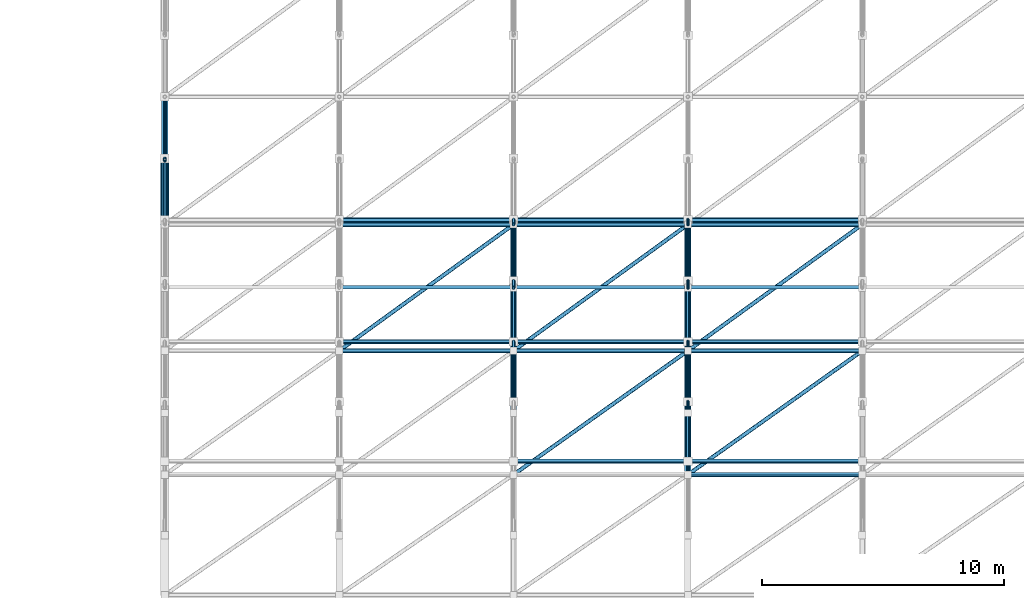
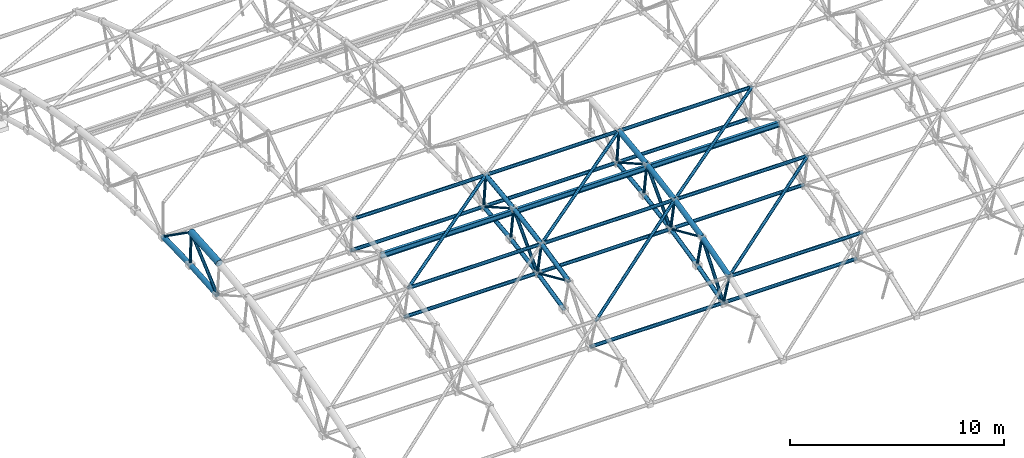
# One storey, part 13 of 41: 58 members.
"""IFC4 building model written with IfcOpenShell, lengths in metres."""

from ifc_helpers import new_model, si_unit, direction, frame, origin, origin_2d, place, context, subcontext, project, spatial, hollow_circle, i_section, extrude, material, material_profile, profile_set, type_object, element, save


model = new_model("IFC4")

# Units and contexts
model_context = context("Model", 3, precision=1e-05, world=origin(), true_north=direction((0.0, 1.0)))
body_context = subcontext(model_context, "Body", "Model", "MODEL_VIEW")
ifc_project = project(units=[si_unit("LENGTHUNIT", "METRE"), si_unit("AREAUNIT", "SQUARE_METRE"), si_unit("VOLUMEUNIT", "CUBIC_METRE"), si_unit("PLANEANGLEUNIT", "RADIAN"), si_unit("MASSUNIT", "GRAM", prefix="KILO")], contexts=[model_context])

# Site, building, storey
site_placement = place(None, origin())
site = spatial("IfcSite", under=ifc_project, at=site_placement, CompositionType="ELEMENT")
building_placement = place(site_placement, origin())
building = spatial("IfcBuilding", under=site, at=building_placement, Name="Malvenik Polytechnic", CompositionType="ELEMENT")
storey_placement = place(building_placement, frame((0.0, 0.0, 17.699951171875)))
storey = spatial("IfcBuildingStorey", under=building, at=storey_placement, Name="L04", CompositionType="ELEMENT", Elevation=17.699951171875)

# Members
ifc_material_1 = material(Name="Steel S355J2H", Category="steel")
ifc_material_profile_1 = material_profile(ifc_material_1, hollow_circle(Radius=0.136474609375, WallThickness=0.010009765625, at=origin_2d()), Name="CHS 273.0x10.0")
ifc_profile_set_1 = profile_set([ifc_material_profile_1], Name="Steel S355J2H")
member_type_1 = type_object("IfcMemberType", Name="STR-MEM-SFB-01", PredefinedType="CHORD", material=ifc_profile_set_1)
for number, where, z_axis, x_axis, name in (
    (1, (134.39990234375, 59.72509765625, 2.155517578125), (0.0, 0.997310938626, 0.073286367738), (-1.0, 0.0, 0.0), "Space-Frame Tube SFB-01 STR-SF-BC-0021"),
    (2, (134.39990234375, 62.261474609375, 2.341796875), (0.0, 0.999700798264, 0.024460456869), (-1.0, 0.0, 0.0), "Space-Frame Tube SFB-01 STR-SF-BC-0023"),
):
    element("IfcMember", number, at=place(storey_placement, frame(where, z_axis=z_axis, x_axis=x_axis)), inside=storey, type_object=member_type_1, Name=name, PredefinedType="CHORD", context=body_context, shape_type="SweptSolid", body=[
        extrude(hollow_circle(Radius=0.136474609375, WallThickness=0.010009765625, at=origin_2d()), origin(), (0.0, 0.0, 1.0), 2.53515625),
    ])
ifc_material_profile_2 = material_profile(ifc_material_1, hollow_circle(Radius=0.109619140625, WallThickness=0.010009765625, at=origin_2d()), Name="CHS 219.1x10.0")
ifc_profile_set_2 = profile_set([ifc_material_profile_2], Name="Steel S355J2H")
member_type_2 = type_object("IfcMemberType", Name="STR-MEM-SFB-02", PredefinedType="CHORD", material=ifc_profile_set_2)
for number, where, z_axis, x_axis, name in (
    (3, (156.0, 49.7607421875, 0.181396484375), (0.0, 0.96402666338, 0.265805553539), (-1.0, 0.0, 0.0), "Space-Frame Tube SFB-02 STR-SF-BC-0304"),
    (4, (156.0, 52.21240234375, 0.857177734375), (0.0, 0.975880203116, 0.21830673184), (-1.0, 0.0, 0.0), "Space-Frame Tube SFB-02 STR-SF-BC-0306"),
):
    element("IfcMember", number, at=place(storey_placement, frame(where, z_axis=z_axis, x_axis=x_axis)), inside=storey, type_object=member_type_2, Name=name, PredefinedType="CHORD", context=body_context, shape_type="SweptSolid", body=[
        extrude(hollow_circle(Radius=0.109619140625, WallThickness=0.010009765625, at=origin_2d()), origin(), (0.0, 0.0, 1.0), 2.53515625),
    ])
member_1_placement = place(storey_placement, frame((156.0, 54.6943359375, 1.412353515625), z_axis=(0.0, 0.985387199481, 0.170329290198), x_axis=(-1.0, 0.0, 0.0)))
element("IfcMember", 5, at=member_1_placement, inside=storey, type_object=member_type_2, Name="Space-Frame Tube SFB-02 STR-SF-BC-0308", PredefinedType="CHORD", context=body_context, shape_type="SweptSolid", body=[
    extrude(hollow_circle(Radius=0.109619140625, WallThickness=0.010009765625, at=origin_2d()), origin(), (0.0, 0.0, 1.0), 2.53564453125),
])
member_2_placement = place(storey_placement, frame((156.0, 57.20068359375, 1.845458984375), z_axis=(0.0, 0.992529141181, 0.122007802646), x_axis=(-1.0, 0.0, 0.0)))
element("IfcMember", 6, at=member_2_placement, inside=storey, type_object=member_type_2, Name="Space-Frame Tube SFB-02 STR-SF-BC-0310", PredefinedType="CHORD", context=body_context, shape_type="SweptSolid", body=[
    extrude(hollow_circle(Radius=0.109619140625, WallThickness=0.010009765625, at=origin_2d()), origin(), (0.0, 0.0, 1.0), 2.535400390625),
])
ifc_material_profile_3 = material_profile(ifc_material_1, hollow_circle(Radius=0.109619140625, WallThickness=0.008056640625, at=origin_2d()), Name="CHS 219.1x8.0")
ifc_profile_set_3 = profile_set([ifc_material_profile_3], Name="Steel S355J2H")
member_type_3 = type_object("IfcMemberType", Name="STR-MEM-SFB-03", PredefinedType="CHORD", material=ifc_profile_set_3)
member_3_placement = place(storey_placement, frame((148.800048828125, 52.21240234375, 0.857177734375), z_axis=(0.0, 0.975880203116, 0.21830673184), x_axis=(-1.0, 0.0, 0.0)))
element("IfcMember", 7, at=member_3_placement, inside=storey, type_object=member_type_3, Name="Space-Frame Tube SFB-03 STR-SF-BC-0209", PredefinedType="CHORD", context=body_context, shape_type="SweptSolid", body=[
    extrude(hollow_circle(Radius=0.109619140625, WallThickness=0.008056640625, at=origin_2d()), origin(), (0.0, 0.0, 1.0), 2.53515625),
])
member_4_placement = place(storey_placement, frame((148.800048828125, 54.6943359375, 1.412353515625), z_axis=(0.0, 0.985387199481, 0.170329290198), x_axis=(-1.0, 0.0, 0.0)))
element("IfcMember", 8, at=member_4_placement, inside=storey, type_object=member_type_3, Name="Space-Frame Tube SFB-03 STR-SF-BC-0211", PredefinedType="CHORD", context=body_context, shape_type="SweptSolid", body=[
    extrude(hollow_circle(Radius=0.109619140625, WallThickness=0.008056640625, at=origin_2d()), origin(), (0.0, 0.0, 1.0), 2.53564453125),
])
member_5_placement = place(storey_placement, frame((148.800048828125, 57.20068359375, 1.845458984375), z_axis=(0.0, 0.992529141181, 0.122007802646), x_axis=(-1.0, 0.0, 0.0)))
element("IfcMember", 9, at=member_5_placement, inside=storey, type_object=member_type_3, Name="Space-Frame Tube SFB-03 STR-SF-BC-0213", PredefinedType="CHORD", context=body_context, shape_type="SweptSolid", body=[
    extrude(hollow_circle(Radius=0.109619140625, WallThickness=0.008056640625, at=origin_2d()), origin(), (0.0, 0.0, 1.0), 2.535400390625),
])
ifc_material_profile_4 = material_profile(ifc_material_1, hollow_circle(Radius=0.084228515625, WallThickness=0.00634765625, at=origin_2d()), Name="CHS 168.3x6.3")
ifc_profile_set_4 = profile_set([ifc_material_profile_4], Name="Steel S355J2H")
member_type_4 = type_object("IfcMemberType", Name="STR-MEM-SFD-02", PredefinedType="BRACE", material=ifc_profile_set_4)
for number, where, z_axis, x_axis, name in (
    (10, (134.39990234375, 59.72412109375, 2.157958984375), (0.0, 0.756869052153, 0.653566552), (-1.0, 0.0, 0.0), "Space-Frame Tube SFD-02 STR-SF-AD-0084"),
    (11, (148.800048828125, 54.693359375, 1.41455078125), (0.0, 0.689369138423, 0.724410236668), (-1.0, 0.0, 0.0), "Space-Frame Tube SFD-02 STR-SF-AD-0276"),
    (12, (156.0, 49.75927734375, 0.18359375), (0.0, 0.615336380621, 0.788264637469), (-1.0, 0.0, 0.0), "Space-Frame Tube SFD-02 STR-SF-AD-0371"),
    (13, (156.0, 54.693359375, 1.41455078125), (0.0, 0.689369138423, 0.724410236668), (-1.0, 0.0, 0.0), "Space-Frame Tube SFD-02 STR-SF-AD-0373"),
):
    element("IfcMember", number, at=place(storey_placement, frame(where, z_axis=z_axis, x_axis=x_axis)), inside=storey, type_object=member_type_4, Name=name, PredefinedType="BRACE", context=body_context, shape_type="SweptSolid", body=[
        extrude(hollow_circle(Radius=0.084228515625, WallThickness=0.00634765625, at=origin_2d()), origin(), (0.0, 0.0, 1.0), 3.218994140625),
    ])
member_6_placement = place(storey_placement, frame((141.603271484375, 54.318603515625, 3.30029296875), z_axis=(0.806752867448, 0.58453646588, 0.086411405045), x_axis=(-0.586731110708, 0.80978182477, 0.0)))
element("IfcMember", 14, at=member_6_placement, inside=storey, type_object=member_type_4, Name="Space-Frame Tube SFD-02 STR-SF-SD-0849", PredefinedType="BRACE", context=body_context, shape_type="SweptSolid", body=[
    extrude(hollow_circle(Radius=0.084228515625, WallThickness=0.00634765625, at=origin_2d()), origin(), (0.0, 0.0, 1.0), 8.916748046875),
])
member_7_placement = place(storey_placement, frame((148.80322265625, 49.2021484375, 2.023681640625), z_axis=(0.806764863232, 0.573291793869, 0.143062834223), x_axis=(-0.57925018849, 0.81514981392, 0.0)))
element("IfcMember", 15, at=member_7_placement, inside=storey, type_object=member_type_4, Name="Space-Frame Tube SFD-02 STR-SF-SD-0890", PredefinedType="BRACE", context=body_context, shape_type="SweptSolid", body=[
    extrude(hollow_circle(Radius=0.084228515625, WallThickness=0.00634765625, at=origin_2d()), origin(), (0.0, 0.0, 1.0), 8.91650390625),
])
member_8_placement = place(storey_placement, frame((148.80322265625, 54.318603515625, 3.30029296875), z_axis=(0.806752867448, 0.58453646588, 0.086411405045), x_axis=(-0.586731110708, 0.80978182477, 0.0)))
element("IfcMember", 16, at=member_8_placement, inside=storey, type_object=member_type_4, Name="Space-Frame Tube SFD-02 STR-SF-SD-0891", PredefinedType="BRACE", context=body_context, shape_type="SweptSolid", body=[
    extrude(hollow_circle(Radius=0.084228515625, WallThickness=0.00634765625, at=origin_2d()), origin(), (0.0, 0.0, 1.0), 8.916748046875),
])
member_9_placement = place(storey_placement, frame((156.003173828125, 49.2021484375, 2.023681640625), z_axis=(0.806764863232, 0.573291793869, 0.143062834223), x_axis=(-0.57925018849, 0.81514981392, 0.0)))
element("IfcMember", 17, at=member_9_placement, inside=storey, type_object=member_type_4, Name="Space-Frame Tube SFD-02 STR-SF-SD-0932", PredefinedType="BRACE", context=body_context, shape_type="SweptSolid", body=[
    extrude(hollow_circle(Radius=0.084228515625, WallThickness=0.00634765625, at=origin_2d()), origin(), (0.0, 0.0, 1.0), 8.91650390625),
])
member_10_placement = place(storey_placement, frame((156.003173828125, 54.318603515625, 3.30029296875), z_axis=(0.806752867448, 0.58453646588, 0.086411405045), x_axis=(-0.586731110708, 0.80978182477, 0.0)))
element("IfcMember", 18, at=member_10_placement, inside=storey, type_object=member_type_4, Name="Space-Frame Tube SFD-02 STR-SF-SD-0933", PredefinedType="BRACE", context=body_context, shape_type="SweptSolid", body=[
    extrude(hollow_circle(Radius=0.084228515625, WallThickness=0.00634765625, at=origin_2d()), origin(), (0.0, 0.0, 1.0), 8.916748046875),
])
ifc_material_profile_5 = material_profile(ifc_material_1, hollow_circle(Radius=0.06982421875, WallThickness=0.00634765625, at=origin_2d()), Name="CHS 139.7x6.3")
ifc_profile_set_5 = profile_set([ifc_material_profile_5], Name="Steel S355J2H")
member_type_5 = type_object("IfcMemberType", Name="STR-MEM-SFD-03", PredefinedType="BRACE", material=ifc_profile_set_5)
member_11_placement = place(storey_placement, frame((134.39990234375, 62.257080078125, 2.345703125), z_axis=(0.0, -0.048781437095, 0.998809477025), x_axis=(1.0, 0.0, 0.0)))
element("IfcMember", 19, at=member_11_placement, inside=storey, type_object=member_type_5, Name="Space-Frame Tube SFD-03 STR-SF-WB-0060", PredefinedType="BRACE", context=body_context, shape_type="SweptSolid", body=[
    extrude(hollow_circle(Radius=0.06982421875, WallThickness=0.00634765625, at=origin_2d()), origin(), (0.0, 0.0, 1.0), 1.916748046875),
])
member_12_placement = place(storey_placement, frame((148.800048828125, 54.689697265625, 1.41552734375), z_axis=(0.0, -0.194328084871, 0.980936590933), x_axis=(1.0, 0.0, 0.0)))
element("IfcMember", 20, at=member_12_placement, inside=storey, type_object=member_type_5, Name="Space-Frame Tube SFD-03 STR-SF-WB-0251", PredefinedType="BRACE", context=body_context, shape_type="SweptSolid", body=[
    extrude(hollow_circle(Radius=0.06982421875, WallThickness=0.00634765625, at=origin_2d()), origin(), (0.0, 0.0, 1.0), 1.917236328125),
])
member_13_placement = place(storey_placement, frame((148.800048828125, 57.196044921875, 1.848876953125), z_axis=(0.0, -0.146197883622, 0.989255365831), x_axis=(1.0, 0.0, 0.0)))
element("IfcMember", 21, at=member_13_placement, inside=storey, type_object=member_type_5, Name="Space-Frame Tube SFD-03 STR-SF-WB-0252", PredefinedType="BRACE", context=body_context, shape_type="SweptSolid", body=[
    extrude(hollow_circle(Radius=0.06982421875, WallThickness=0.00634765625, at=origin_2d()), origin(), (0.0, 0.0, 1.0), 1.9169921875),
])
for number, where, z_axis, x_axis, name in (
    (22, (148.800048828125, 59.720703125, 2.1591796875), (0.0, -0.09767529924, 0.995218335803), (1.0, 0.0, 0.0), "Space-Frame Tube SFD-03 STR-SF-WB-0253"),
    (23, (156.0, 49.755615234375, 0.18408203125), (0.0, -0.289204975311, 0.957267194808), (1.0, 0.0, 0.0), "Space-Frame Tube SFD-03 STR-SF-WB-0346"),
):
    element("IfcMember", number, at=place(storey_placement, frame(where, z_axis=z_axis, x_axis=x_axis)), inside=storey, type_object=member_type_5, Name=name, PredefinedType="BRACE", context=body_context, shape_type="SweptSolid", body=[
        extrude(hollow_circle(Radius=0.06982421875, WallThickness=0.00634765625, at=origin_2d()), origin(), (0.0, 0.0, 1.0), 1.917236328125),
    ])
member_14_placement = place(storey_placement, frame((156.0, 52.20751953125, 0.8603515625), z_axis=(0.0, -0.242116055397, 0.970247296167), x_axis=(1.0, 0.0, 0.0)))
element("IfcMember", 24, at=member_14_placement, inside=storey, type_object=member_type_5, Name="Space-Frame Tube SFD-03 STR-SF-WB-0347", PredefinedType="BRACE", context=body_context, shape_type="SweptSolid", body=[
    extrude(hollow_circle(Radius=0.06982421875, WallThickness=0.00634765625, at=origin_2d()), origin(), (0.0, 0.0, 1.0), 1.9169921875),
])
member_15_placement = place(storey_placement, frame((156.0, 54.689697265625, 1.41552734375), z_axis=(0.0, -0.194328084871, 0.980936590933), x_axis=(1.0, 0.0, 0.0)))
element("IfcMember", 25, at=member_15_placement, inside=storey, type_object=member_type_5, Name="Space-Frame Tube SFD-03 STR-SF-WB-0348", PredefinedType="BRACE", context=body_context, shape_type="SweptSolid", body=[
    extrude(hollow_circle(Radius=0.06982421875, WallThickness=0.00634765625, at=origin_2d()), origin(), (0.0, 0.0, 1.0), 1.917236328125),
])
member_16_placement = place(storey_placement, frame((156.0, 57.196044921875, 1.848876953125), z_axis=(0.0, -0.146197883622, 0.989255365831), x_axis=(1.0, 0.0, 0.0)))
element("IfcMember", 26, at=member_16_placement, inside=storey, type_object=member_type_5, Name="Space-Frame Tube SFD-03 STR-SF-WB-0349", PredefinedType="BRACE", context=body_context, shape_type="SweptSolid", body=[
    extrude(hollow_circle(Radius=0.06982421875, WallThickness=0.00634765625, at=origin_2d()), origin(), (0.0, 0.0, 1.0), 1.9169921875),
])
member_17_placement = place(storey_placement, frame((156.0, 59.720703125, 2.1591796875), z_axis=(0.0, -0.09767529924, 0.995218335803), x_axis=(1.0, 0.0, 0.0)))
element("IfcMember", 27, at=member_17_placement, inside=storey, type_object=member_type_5, Name="Space-Frame Tube SFD-03 STR-SF-WB-0350", PredefinedType="BRACE", context=body_context, shape_type="SweptSolid", body=[
    extrude(hollow_circle(Radius=0.06982421875, WallThickness=0.00634765625, at=origin_2d()), origin(), (0.0, 0.0, 1.0), 1.917236328125),
])
ifc_material_profile_6 = material_profile(ifc_material_1, hollow_circle(Radius=0.05712890625, WallThickness=0.0048828125, at=origin_2d()), Name="CHS 114.3x5.0")
ifc_profile_set_6 = profile_set([ifc_material_profile_6], Name="Steel S355J2H")
member_type_6 = type_object("IfcMemberType", Name="STR-MEM-SFD-04", PredefinedType="BRACE", material=ifc_profile_set_6)
for number, where, z_axis, x_axis, name in (
    (28, (134.39990234375, 62.16650390625, 4.261962890625), (0.0, 0.817091860907, -0.576507494175), (-1.0, 0.0, 0.0), "Space-Frame Tube SFD-04 STR-SF-AD-0085"),
    (29, (148.800048828125, 51.74609375, 2.722412109375), (0.0, 0.913567424865, -0.406687300301), (-1.0, 0.0, 0.0), "Space-Frame Tube SFD-04 STR-SF-AD-0275"),
    (30, (148.800048828125, 56.918701171875, 3.747314453125), (0.0, 0.869477287163, -0.493972921432), (-1.0, 0.0, 0.0), "Space-Frame Tube SFD-04 STR-SF-AD-0277"),
    (31, (156.0, 51.74609375, 2.722412109375), (0.0, 0.913567424865, -0.406687300301), (-1.0, 0.0, 0.0), "Space-Frame Tube SFD-04 STR-SF-AD-0372"),
    (32, (156.0, 56.918701171875, 3.747314453125), (0.0, 0.869477287163, -0.493972921432), (-1.0, 0.0, 0.0), "Space-Frame Tube SFD-04 STR-SF-AD-0374"),
):
    element("IfcMember", number, at=place(storey_placement, frame(where, z_axis=z_axis, x_axis=x_axis)), inside=storey, type_object=member_type_6, Name=name, PredefinedType="BRACE", context=body_context, shape_type="SweptSolid", body=[
        extrude(hollow_circle(Radius=0.05712890625, WallThickness=0.0048828125, at=origin_2d()), origin(), (0.0, 0.0, 1.0), 3.218994140625),
    ])
ifc_material_profile_7 = material_profile(ifc_material_1, hollow_circle(Radius=0.096923828125, WallThickness=0.008056640625, at=origin_2d()), Name="CHS 193.7x8.0")
ifc_profile_set_7 = profile_set([ifc_material_profile_7], Name="Steel S355J2H")
member_type_7 = type_object("IfcMemberType", Name="STR-MEM-SFL-01", PredefinedType="CHORD", material=ifc_profile_set_7)
for number, where, z_axis, x_axis, name in (
    (33, (141.60400390625, 54.6904296875, 1.41162109375), (1.0, 0.0, 0.0), (0.0, 1.0, 0.0), "Space-Frame Tube SFL-01 STR-SF-LB-0827"),
    (34, (141.60400390625, 54.31640625, 3.300048828125), (1.0, 0.0, 0.0), (0.0, 1.0, 0.0), "Space-Frame Tube SFL-01 STR-SF-LT-0828"),
    (35, (141.60400390625, 59.720947265625, 2.1552734375), (1.0, 0.0, 0.0), (0.0, 1.0, 0.0), "Space-Frame Tube SFL-01 STR-SF-LB-0829"),
    (36, (141.60400390625, 59.532958984375, 4.071044921875), (1.0, 0.0, 0.0), (0.0, 1.0, 0.0), "Space-Frame Tube SFL-01 STR-SF-LT-0830"),
):
    element("IfcMember", number, at=place(storey_placement, frame(where, z_axis=z_axis, x_axis=x_axis)), inside=storey, type_object=member_type_7, Name=name, PredefinedType="CHORD", context=body_context, shape_type="SweptSolid", body=[
        extrude(hollow_circle(Radius=0.096923828125, WallThickness=0.008056640625, at=origin_2d()), origin(), (0.0, 0.0, 1.0), 7.19189453125),
    ])
for number, where, z_axis, x_axis, name in (
    (37, (148.803955078125, 49.7568359375, 0.180419921875), (1.0, 0.0, 0.0), (0.0, 1.0, 0.0), "Space-Frame Tube SFL-01 STR-SF-LB-0867"),
    (38, (148.803955078125, 54.6904296875, 1.41162109375), (1.0, 0.0, 0.0), (0.0, 1.0, 0.0), "Space-Frame Tube SFL-01 STR-SF-LB-0869"),
    (39, (148.803955078125, 54.31640625, 3.300048828125), (1.0, 0.0, 0.0), (0.0, 1.0, 0.0), "Space-Frame Tube SFL-01 STR-SF-LT-0870"),
    (40, (148.803955078125, 59.720947265625, 2.1552734375), (1.0, 0.0, 0.0), (0.0, 1.0, 0.0), "Space-Frame Tube SFL-01 STR-SF-LB-0871"),
    (41, (148.803955078125, 59.532958984375, 4.071044921875), (1.0, 0.0, 0.0), (0.0, 1.0, 0.0), "Space-Frame Tube SFL-01 STR-SF-LT-0872"),
    (42, (156.00390625, 49.7568359375, 0.180419921875), (1.0, 0.0, 0.0), (0.0, 1.0, 0.0), "Space-Frame Tube SFL-01 STR-SF-LB-0909"),
    (43, (156.00390625, 49.199951171875, 2.02294921875), (1.0, 0.0, 0.0), (0.0, 1.0, 0.0), "Space-Frame Tube SFL-01 STR-SF-LT-0910"),
    (44, (156.00390625, 54.6904296875, 1.41162109375), (1.0, 0.0, 0.0), (0.0, 1.0, 0.0), "Space-Frame Tube SFL-01 STR-SF-LB-0911"),
    (45, (156.00390625, 54.31640625, 3.300048828125), (1.0, 0.0, 0.0), (0.0, 1.0, 0.0), "Space-Frame Tube SFL-01 STR-SF-LT-0912"),
    (46, (156.00390625, 59.720947265625, 2.1552734375), (1.0, 0.0, 0.0), (0.0, 1.0, 0.0), "Space-Frame Tube SFL-01 STR-SF-LB-0913"),
    (47, (156.00390625, 59.532958984375, 4.071044921875), (1.0, 0.0, 0.0), (0.0, 1.0, 0.0), "Space-Frame Tube SFL-01 STR-SF-LT-0914"),
):
    element("IfcMember", number, at=place(storey_placement, frame(where, z_axis=z_axis, x_axis=x_axis)), inside=storey, type_object=member_type_7, Name=name, PredefinedType="CHORD", context=body_context, shape_type="SweptSolid", body=[
        extrude(hollow_circle(Radius=0.096923828125, WallThickness=0.008056640625, at=origin_2d()), origin(), (0.0, 0.0, 1.0), 7.192138671875),
    ])
ifc_material_2 = material(Name="Steel S355", Category="steel")
ifc_material_profile_8 = material_profile(ifc_material_2, i_section(OverallWidth=0.14990234375, OverallDepth=0.300048828125, WebThickness=0.007080078125, FlangeThickness=0.0107421875, FilletRadius=0.014892578125, at=origin_2d()), Name="IPE 300")
ifc_profile_set_8 = profile_set([ifc_material_profile_8], Name="Steel S355")
member_type_8 = type_object("IfcMemberType", Name="STR-MEM-SFP-02", PredefinedType="PURLIN", material=ifc_profile_set_8)
for number, where, z_axis, x_axis, name in (
    (48, (141.6201171875, 56.9453125, 3.54638671875), (1.0, 0.0, 0.0), (0.0, 1.0, 0.0), "Vault Roof Purlin SFP-02 #858"),
    (49, (148.820068359375, 56.9453125, 3.54638671875), (1.0, 0.0, 0.0), (0.0, 1.0, 0.0), "Vault Roof Purlin SFP-02 #900"),
    (50, (156.02001953125, 56.9453125, 3.54638671875), (1.0, 0.0, 0.0), (0.0, 1.0, 0.0), "Vault Roof Purlin SFP-02 #942"),
):
    element("IfcMember", number, at=place(storey_placement, frame(where, z_axis=z_axis, x_axis=x_axis)), inside=storey, type_object=member_type_8, Name=name, PredefinedType="PURLIN", context=body_context, shape_type="SweptSolid", body=[
        extrude(i_section(OverallWidth=0.14990234375, OverallDepth=0.300048828125, WebThickness=0.007080078125, FlangeThickness=0.0107421875, FilletRadius=0.014892578125, at=origin_2d()), origin(), (0.0, 0.0, 1.0), 7.159912109375),
    ])
ifc_material_profile_9 = material_profile(ifc_material_1, hollow_circle(Radius=0.177734375, WallThickness=0.012451171875, at=origin_2d()), Name="CHS 355.6x12.5")
ifc_profile_set_9 = profile_set([ifc_material_profile_9], Name="Steel S355J2H")
member_type_9 = type_object("IfcMemberType", Name="STR-MEM-SFT-01", PredefinedType="CHORD", material=ifc_profile_set_9)
member_18_placement = place(storey_placement, frame((134.39990234375, 59.537109375, 4.0712890625), z_axis=(0.0, 0.997305627523, 0.073358607611), x_axis=(-1.0, 0.0, 0.0)))
element("IfcMember", 51, at=member_18_placement, inside=storey, type_object=member_type_9, Name="Space-Frame Tube SFT-01 STR-SF-TC-0022", PredefinedType="CHORD", context=body_context, shape_type="SweptSolid", body=[
    extrude(hollow_circle(Radius=0.177734375, WallThickness=0.012451171875, at=origin_2d()), origin(), (0.0, 0.0, 1.0), 2.629150390625),
])
ifc_material_profile_10 = material_profile(ifc_material_1, hollow_circle(Radius=0.136474609375, WallThickness=0.012451171875, at=origin_2d()), Name="CHS 273.0x12.5")
ifc_profile_set_10 = profile_set([ifc_material_profile_10], Name="Steel S355J2H")
member_type_10 = type_object("IfcMemberType", Name="STR-MEM-SFT-02", PredefinedType="CHORD", material=ifc_profile_set_10)
member_19_placement = place(storey_placement, frame((156.0, 49.203857421875, 2.024169921875), z_axis=(0.0, 0.964040211151, 0.265756413438), x_axis=(-1.0, 0.0, 0.0)))
element("IfcMember", 52, at=member_19_placement, inside=storey, type_object=member_type_10, Name="Space-Frame Tube SFT-02 STR-SF-TC-0305", PredefinedType="CHORD", context=body_context, shape_type="SweptSolid", body=[
    extrude(hollow_circle(Radius=0.136474609375, WallThickness=0.012451171875, at=origin_2d()), origin(), (0.0, 0.0, 1.0), 2.629150390625),
])
member_20_placement = place(storey_placement, frame((156.0, 51.746337890625, 2.724853515625), z_axis=(0.0, 0.975867063963, 0.218365458514), x_axis=(-1.0, 0.0, 0.0)))
element("IfcMember", 53, at=member_20_placement, inside=storey, type_object=member_type_10, Name="Space-Frame Tube SFT-02 STR-SF-TC-0307", PredefinedType="CHORD", context=body_context, shape_type="SweptSolid", body=[
    extrude(hollow_circle(Radius=0.136474609375, WallThickness=0.012451171875, at=origin_2d()), origin(), (0.0, 0.0, 1.0), 2.629638671875),
])
for number, where, z_axis, x_axis, name in (
    (54, (156.0, 54.3203125, 3.300537109375), (0.0, 0.985379595625, 0.170373274095), (-1.0, 0.0, 0.0), "Space-Frame Tube SFT-02 STR-SF-TC-0309"),
    (55, (156.0, 56.919189453125, 3.749755859375), (0.0, 0.99253004874, 0.122000419462), (-1.0, 0.0, 0.0), "Space-Frame Tube SFT-02 STR-SF-TC-0311"),
):
    element("IfcMember", number, at=place(storey_placement, frame(where, z_axis=z_axis, x_axis=x_axis)), inside=storey, type_object=member_type_10, Name=name, PredefinedType="CHORD", context=body_context, shape_type="SweptSolid", body=[
        extrude(hollow_circle(Radius=0.136474609375, WallThickness=0.012451171875, at=origin_2d()), origin(), (0.0, 0.0, 1.0), 2.62939453125),
    ])
ifc_material_profile_11 = material_profile(ifc_material_1, hollow_circle(Radius=0.122314453125, WallThickness=0.010009765625, at=origin_2d()), Name="CHS 244.5x10.0")
ifc_profile_set_11 = profile_set([ifc_material_profile_11], Name="Steel S355J2H")
member_type_11 = type_object("IfcMemberType", Name="STR-MEM-SFT-03", PredefinedType="CHORD", material=ifc_profile_set_11)
member_21_placement = place(storey_placement, frame((148.800048828125, 51.746337890625, 2.724853515625), z_axis=(0.0, 0.975867063963, 0.218365458514), x_axis=(-1.0, 0.0, 0.0)))
element("IfcMember", 56, at=member_21_placement, inside=storey, type_object=member_type_11, Name="Space-Frame Tube SFT-03 STR-SF-TC-0210", PredefinedType="CHORD", context=body_context, shape_type="SweptSolid", body=[
    extrude(hollow_circle(Radius=0.122314453125, WallThickness=0.010009765625, at=origin_2d()), origin(), (0.0, 0.0, 1.0), 2.629638671875),
])
for number, where, z_axis, x_axis, name in (
    (57, (148.800048828125, 54.3203125, 3.300537109375), (0.0, 0.985379595625, 0.170373274095), (-1.0, 0.0, 0.0), "Space-Frame Tube SFT-03 STR-SF-TC-0212"),
    (58, (148.800048828125, 56.919189453125, 3.749755859375), (0.0, 0.99253004874, 0.122000419462), (-1.0, 0.0, 0.0), "Space-Frame Tube SFT-03 STR-SF-TC-0214"),
):
    element("IfcMember", number, at=place(storey_placement, frame(where, z_axis=z_axis, x_axis=x_axis)), inside=storey, type_object=member_type_11, Name=name, PredefinedType="CHORD", context=body_context, shape_type="SweptSolid", body=[
        extrude(hollow_circle(Radius=0.122314453125, WallThickness=0.010009765625, at=origin_2d()), origin(), (0.0, 0.0, 1.0), 2.62939453125),
    ])

save(model, "model.ifc")
